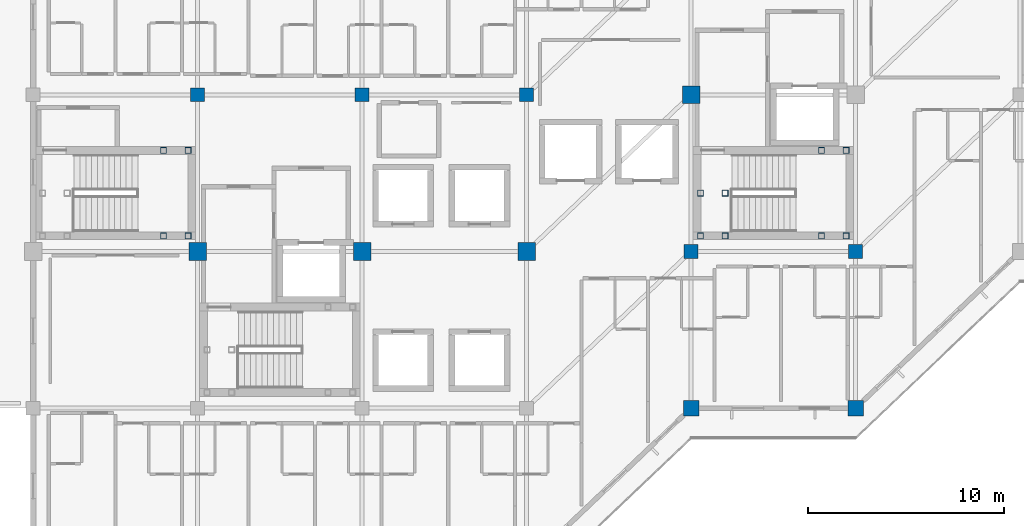
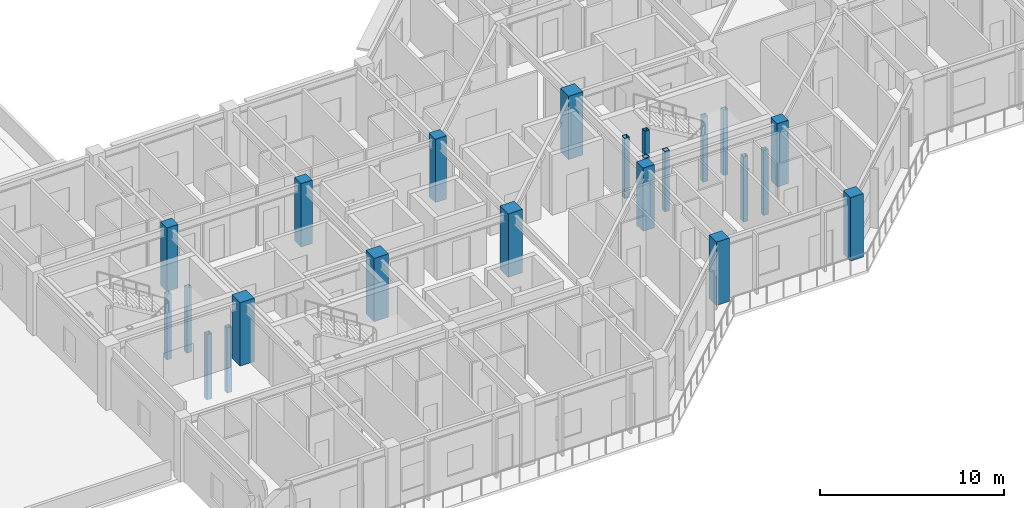
# One storey, part 2 of 22: 23 columns.
"""IFC4 building model written with IfcOpenShell, lengths in metres."""

from ifc_helpers import new_model, si_unit, direction, frame, origin, origin_2d, place, context, subcontext, project, spatial, rectangle, hollow_rectangle, extrude, material, material_profile, profile_set, type_object, element, save


model = new_model("IFC4")

# Units and contexts
model_context = context("Model", 3, precision=1e-05, world=origin(), true_north=direction((0.0, 1.0)))
body_context = subcontext(model_context, "Body", "Model", "MODEL_VIEW")
ifc_project = project(units=[si_unit("LENGTHUNIT", "METRE"), si_unit("AREAUNIT", "SQUARE_METRE"), si_unit("VOLUMEUNIT", "CUBIC_METRE"), si_unit("PLANEANGLEUNIT", "RADIAN"), si_unit("MASSUNIT", "GRAM", prefix="KILO")], contexts=[model_context])

# Site, building, storey
site_placement = place(None, origin())
site = spatial("IfcSite", under=ifc_project, at=site_placement, CompositionType="ELEMENT")
building_placement = place(site_placement, origin())
building = spatial("IfcBuilding", under=site, at=building_placement, Name="Naruveol Harbour Congress Hotel", CompositionType="ELEMENT")
storey_placement = place(building_placement, frame((0.0, 0.0, 21.0)))
storey = spatial("IfcBuildingStorey", under=building, at=storey_placement, Name="L04", CompositionType="ELEMENT", Elevation=21.0)

# Columns
ifc_material_1 = material(Name="Concrete C40/50", Category="concrete")
ifc_material_profile_1 = material_profile(ifc_material_1, rectangle(XDim=0.699951171875, YDim=0.699951171875, at=origin_2d()), Name="RC-700x700")
ifc_profile_set_1 = profile_set([ifc_material_profile_1], Name="Concrete C40/50")
column_type_1 = type_object("IfcColumnType", Name="RC HOTEL COLUMN 700X700", PredefinedType="COLUMN", material=ifc_profile_set_1)
for number, where, z_axis, x_axis, name in (
    (1, (126.0, 24.0, 0.0), (0.0, 0.0, 1.0), (1.0, 0.0, 0.0), "Planted hotel column C-700 L04 S1/J3"),
    (2, (134.39990234375, 24.0, 0.0), (0.0, 0.0, 1.0), (1.0, 0.0, 0.0), "Planted hotel column C-700 L04 S2/J3"),
    (3, (142.800048828125, 24.0, 0.0), (0.0, 0.0, 1.0), (1.0, 0.0, 0.0), "Planted hotel column C-700 L04 S3/J3"),
    (4, (151.199951171875, 16.0, 0.0), (0.0, 0.0, 1.0), (1.0, 0.0, 0.0), "Planted hotel column C-700 L04 S4/J1"),
    (5, (159.60009765625, 16.0, 0.0), (0.0, 0.0, 1.0), (1.0, 0.0, 0.0), "Planted hotel column C-700 L04 S5/J1"),
):
    element("IfcColumn", number, at=place(storey_placement, frame(where, z_axis=z_axis, x_axis=x_axis)), inside=storey, type_object=column_type_1, Name=name, PredefinedType="COLUMN", context=body_context, shape_type="SweptSolid", body=[
        extrude(rectangle(XDim=0.699951171875, YDim=0.699951171875, at=origin_2d()), origin(), (0.0, 0.0, 1.0), 4.199951171875),
    ])
ifc_material_2 = material(Name="Concrete C50/60", Category="concrete")
ifc_material_profile_2 = material_profile(ifc_material_2, rectangle(XDim=0.800048828125, YDim=0.800048828125, at=origin_2d()), Name="RC-800x800")
ifc_profile_set_2 = profile_set([ifc_material_profile_2], Name="Concrete C50/60")
column_type_2 = type_object("IfcColumnType", Name="RC PODIUM COLUMN 800X800", PredefinedType="COLUMN", material=ifc_profile_set_2)
for number, where, z_axis, x_axis, name in (
    (6, (151.199951171875, 8.0, 0.0), (0.0, 0.0, 1.0), (1.0, 0.0, 0.0), "Column C-800 L04 (151.2,8.0)"),
    (7, (159.60009765625, 8.0, 0.0), (0.0, 0.0, 1.0), (1.0, 0.0, 0.0), "Column C-800 L04 (159.6,8.0)"),
):
    element("IfcColumn", number, at=place(storey_placement, frame(where, z_axis=z_axis, x_axis=x_axis)), inside=storey, type_object=column_type_2, Name=name, PredefinedType="COLUMN", context=body_context, shape_type="SweptSolid", body=[
        extrude(rectangle(XDim=0.800048828125, YDim=0.800048828125, at=origin_2d()), origin(), (0.0, 0.0, 1.0), 4.199951171875),
    ])
ifc_material_3 = material(Name="Concrete C50/60", Category="concrete")
ifc_material_profile_3 = material_profile(ifc_material_3, rectangle(XDim=0.89990234375, YDim=0.89990234375, at=origin_2d()), Name="RC-900x900")
ifc_profile_set_3 = profile_set([ifc_material_profile_3], Name="Concrete C50/60")
column_type_3 = type_object("IfcColumnType", Name="RC PRIMARY COLUMN 900X900", PredefinedType="COLUMN", material=ifc_profile_set_3)
for number, where, z_axis, x_axis, name in (
    (8, (126.0, 16.0, 0.0), (0.0, 0.0, 1.0), (1.0, 0.0, 0.0), "Column C-900 L04 (126.0,16.0)"),
    (9, (134.39990234375, 16.0, 0.0), (0.0, 0.0, 1.0), (1.0, 0.0, 0.0), "Column C-900 L04 (134.4,16.0)"),
    (10, (142.800048828125, 16.0, 0.0), (0.0, 0.0, 1.0), (1.0, 0.0, 0.0), "Column C-900 L04 (142.8,16.0)"),
    (11, (151.199951171875, 24.0, 0.0), (0.0, 0.0, 1.0), (1.0, 0.0, 0.0), "Column C-900 L04 (151.2,24.0)"),
):
    element("IfcColumn", number, at=place(storey_placement, frame(where, z_axis=z_axis, x_axis=x_axis)), inside=storey, type_object=column_type_3, Name=name, PredefinedType="COLUMN", context=body_context, shape_type="SweptSolid", body=[
        extrude(rectangle(XDim=0.89990234375, YDim=0.89990234375, at=origin_2d()), origin(), (0.0, 0.0, 1.0), 4.199951171875),
    ])
ifc_material_4 = material(Name="Steel SN490", Category="steel")
ifc_material_profile_4 = material_profile(ifc_material_4, hollow_rectangle(XDim=0.300048828125, YDim=0.300048828125, WallThickness=0.011962890625, at=origin_2d()), Name="SHS-300x300x12")
ifc_profile_set_4 = profile_set([ifc_material_profile_4], Name="Steel SN490")
column_type_4 = type_object("IfcColumnType", Name="STEEL COLONNADE POST SHS300", PredefinedType="COLUMN", material=ifc_profile_set_4)
for number, where, z_axis, x_axis, name in (
    (12, (151.679931640625, 16.800048828125, 0.0), (0.0, 0.0, 1.0), (1.0, 0.0, 0.0), "Stair landing support post ST2W #102"),
    (13, (151.679931640625, 18.97998046875, 0.0), (0.0, 0.0, 1.0), (1.0, 0.0, 0.0), "Stair landing support post ST2W #114"),
    (14, (152.93994140625, 16.800048828125, 0.0), (0.0, 0.0, 1.0), (1.0, 0.0, 0.0), "Stair landing support post ST2W #126"),
    (15, (152.93994140625, 18.97998046875, 0.0), (0.0, 0.0, 1.0), (1.0, 0.0, 0.0), "Stair landing support post ST2W #138"),
):
    element("IfcColumn", number, at=place(storey_placement, frame(where, z_axis=z_axis, x_axis=x_axis)), inside=storey, type_object=column_type_4, Name=name, PredefinedType="COLUMN", context=body_context, shape_type="SweptSolid", body=[
        extrude(hollow_rectangle(XDim=0.300048828125, YDim=0.300048828125, WallThickness=0.011962890625, at=origin_2d()), origin(), (0.0, 0.0, 1.0), 4.02001953125),
    ])
for number, where, z_axis, x_axis, name in (
    (16, (157.860107421875, 16.800048828125, -2.39990234375), (0.0, 0.0, 1.0), (1.0, 0.0, 0.0), "Stair landing support post ST2E #150"),
    (17, (157.860107421875, 21.159912109375, -2.39990234375), (0.0, 0.0, 1.0), (1.0, 0.0, 0.0), "Stair landing support post ST2E #162"),
    (18, (159.1201171875, 16.800048828125, -2.39990234375), (0.0, 0.0, 1.0), (1.0, 0.0, 0.0), "Stair landing support post ST2E #174"),
    (19, (159.1201171875, 21.159912109375, -2.39990234375), (0.0, 0.0, 1.0), (1.0, 0.0, 0.0), "Stair landing support post ST2E #186"),
    (20, (124.260009765625, 16.800048828125, -2.39990234375), (0.0, 0.0, 1.0), (1.0, 0.0, 0.0), "Stair landing support post ST3E #238"),
    (21, (124.260009765625, 21.159912109375, -2.39990234375), (0.0, 0.0, 1.0), (1.0, 0.0, 0.0), "Stair landing support post ST3E #248"),
    (22, (125.52001953125, 16.800048828125, -2.39990234375), (0.0, 0.0, 1.0), (1.0, 0.0, 0.0), "Stair landing support post ST3E #258"),
    (23, (125.52001953125, 21.159912109375, -2.39990234375), (0.0, 0.0, 1.0), (1.0, 0.0, 0.0), "Stair landing support post ST3E #268"),
):
    element("IfcColumn", number, at=place(storey_placement, frame(where, z_axis=z_axis, x_axis=x_axis)), inside=storey, type_object=column_type_4, Name=name, PredefinedType="COLUMN", context=body_context, shape_type="SweptSolid", body=[
        extrude(hollow_rectangle(XDim=0.300048828125, YDim=0.300048828125, WallThickness=0.011962890625, at=origin_2d()), origin(), (0.0, 0.0, 1.0), 4.31982421875),
    ])

save(model, "model.ifc")
